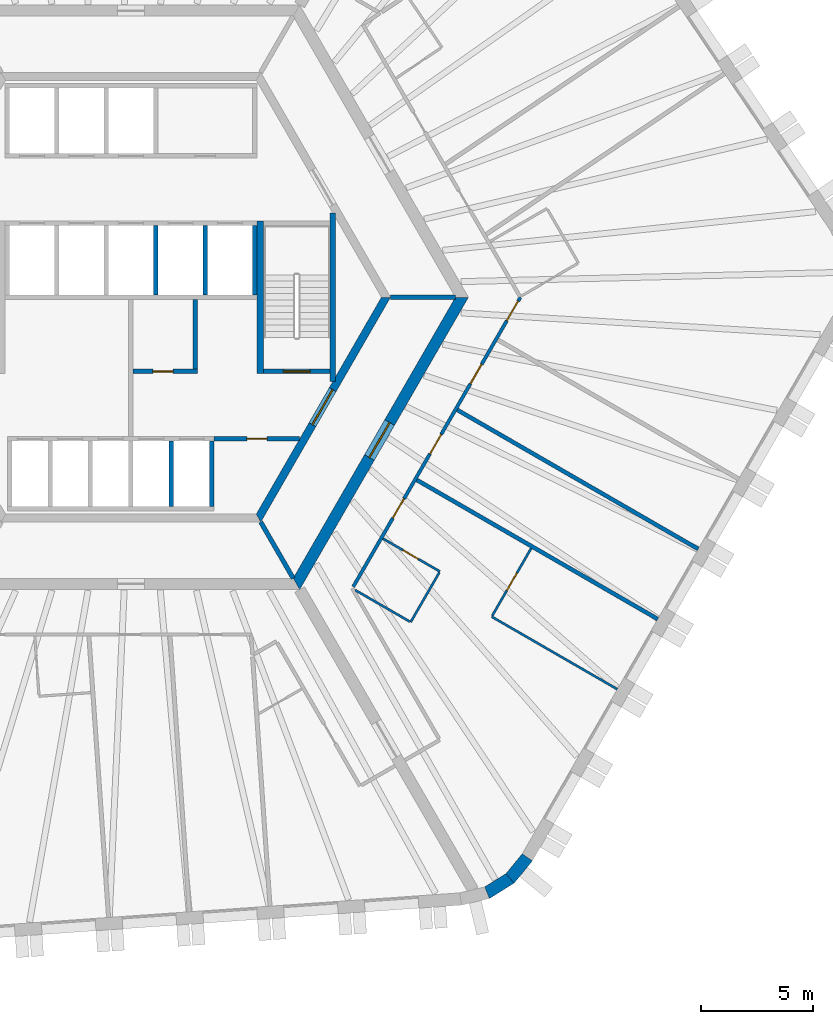
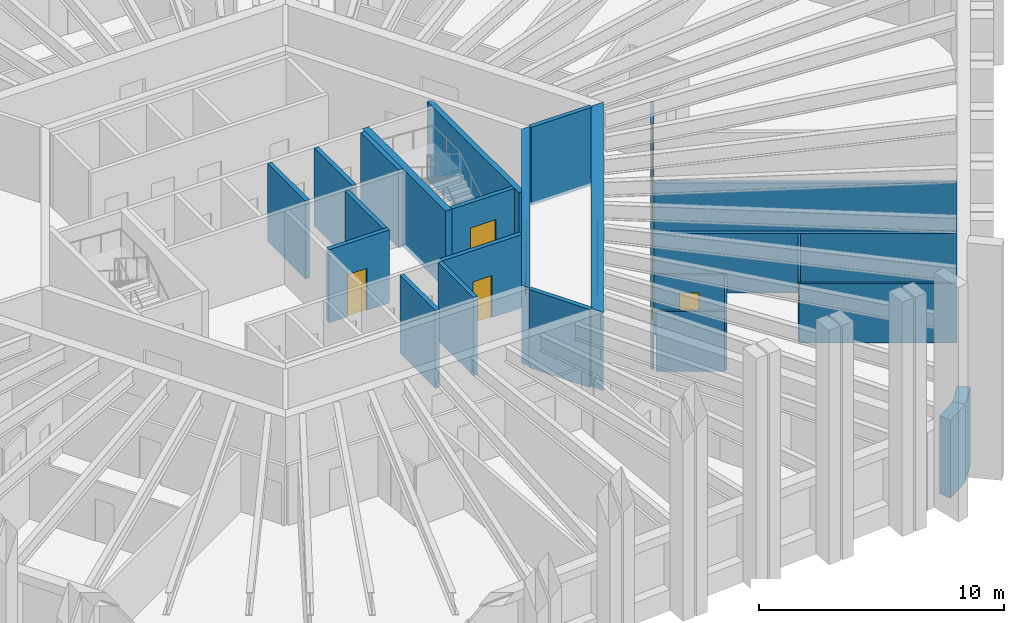
# One storey, part 5 of 10: 25 walls, 11 doors, 11 openings.
"""IFC4 building model written with IfcOpenShell, lengths in metres."""

from ifc_helpers import new_model, si_unit, direction, frame, frame_2d, origin, place, context, subcontext, project, spatial, polyline, rectangle, outline, extrude, material, layer, layer_set, type_object, element, fill, save


model = new_model("IFC4")

# Units and contexts
model_context = context("Model", 3, precision=1e-05, world=origin(), true_north=direction((0.0, 1.0)))
body_context = subcontext(model_context, "Body", "Model", "MODEL_VIEW")
ifc_project = project(units=[si_unit("LENGTHUNIT", "METRE"), si_unit("AREAUNIT", "SQUARE_METRE"), si_unit("VOLUMEUNIT", "CUBIC_METRE"), si_unit("PLANEANGLEUNIT", "RADIAN"), si_unit("MASSUNIT", "GRAM", prefix="KILO")], contexts=[model_context])

# Site, building, storey
site_placement = place(None, origin())
site = spatial("IfcSite", under=ifc_project, at=site_placement, CompositionType="ELEMENT")
building_placement = place(site_placement, origin())
building = spatial("IfcBuilding", under=site, at=building_placement, Name="Tarnside Tower", CompositionType="ELEMENT")
storey_placement = place(building_placement, frame((0.0, 0.0, 195.60009765625)))
storey = spatial("IfcBuildingStorey", under=building, at=storey_placement, Name="L46", CompositionType="ELEMENT", Elevation=195.60009765625)

# Wall, opening, door
ifc_material_1 = material(Name="Gypsum board partition on steel studs", Category="steel")
ifc_layer_1 = layer(ifc_material_1, 0.10009765625)
ifc_layer_set_1 = layer_set([ifc_layer_1], Name="Bathroom wall 100")
wall_type_1 = type_object("IfcWallType", Name="Bathroom wall 100", PredefinedType="PARTITIONING", material=ifc_layer_set_1)
wall_1_placement = place(storey_placement, frame((11.208740234375, -10.73583984375, 0.0), z_axis=(0.0, 0.0, 1.0), x_axis=(0.866046596414, -0.499963291492, 0.0)))
wall_1 = element("IfcWall", 1, at=wall_1_placement, inside=storey, type_object=wall_type_1, Name="Bathroom wall 15094", PredefinedType="PARTITIONING", context=body_context, shape_type="SweptSolid", body=[
    extrude(rectangle(XDim=2.925048828125, YDim=0.10009765625, at=frame_2d((1.46240234375, 0.0))), origin(), (0.0, 0.0, 1.0), 2.98779296875),
])
opening_1_placement = place(wall_1_placement, frame((1.02490234375, 0.0, 0.0)))
opening_1 = element("IfcOpeningElement", 2, at=opening_1_placement, cuts=wall_1, Name="Opening D-B1", PredefinedType="OPENING", context=body_context, shape_type="SweptSolid", body=[
    extrude(rectangle(XDim=0.800048828125, YDim=2.10009765625, at=frame_2d((0.39990234375, 1.050048828125))), frame((0.0, 0.06005859375, 0.0), z_axis=(0.0, -1.0, 0.0), x_axis=(1.0, 0.0, 0.0)), (0.0, 0.0, 1.0), 0.1201171875),
])
ifc_material_2 = material(Name="Timber door leaf", Category="wood")
door_type_1 = type_object("IfcDoorType", Name="Bathroom door 800", OperationType="NOTDEFINED", PredefinedType="DOOR", material=ifc_material_2)
door_1_placement = place(opening_1_placement, origin())
door_1 = element("IfcDoor", 3, at=door_1_placement, inside=storey, type_object=door_type_1, Name="Bathroom door 15026", OperationType="SINGLE_SWING_RIGHT", OverallHeight=2.10009765625, OverallWidth=0.800048828125, PredefinedType="DOOR", context=body_context, shape_type="SweptSolid", body=[
    extrude(rectangle(XDim=0.800048828125, YDim=2.10009765625, at=frame_2d((0.39990234375, 1.050048828125))), frame((0.0, 0.02490234375, 0.0), z_axis=(0.0, -1.0, 0.0), x_axis=(1.0, 0.0, 0.0)), (0.0, 0.0, 1.0), 0.050048828125),
])
fill(opening_1, door_1)

# Walls
wall_2_placement = place(storey_placement, frame((13.716796875, -12.24169921875, 0.0), z_axis=(0.0, 0.0, 1.0), x_axis=(-0.499990435942, -0.866030925526, 0.0)))
element("IfcWall", 4, at=wall_2_placement, inside=storey, type_object=wall_type_1, Name="Bathroom wall 15095", PredefinedType="PARTITIONING", context=body_context, shape_type="SweptSolid", body=[
    extrude(rectangle(XDim=2.5498046875, YDim=0.10009765625, at=frame_2d((1.27490234375, 0.0))), origin(), (0.0, 0.0, 1.0), 2.98779296875),
])
wall_3_placement = place(storey_placement, frame((12.398681640625, -14.425048828125, 0.0), z_axis=(0.0, 0.0, 1.0), x_axis=(-0.866018616679, 0.500011755427, 0.0)))
element("IfcWall", 5, at=wall_3_placement, inside=storey, type_object=wall_type_1, Name="Bathroom wall 15096", PredefinedType="PARTITIONING", context=body_context, shape_type="SweptSolid", body=[
    extrude(rectangle(XDim=2.80029296875, YDim=0.10009765625, at=frame_2d((1.400146484375, 0.0))), origin(), (0.0, 0.0, 1.0), 2.98779296875),
])

# Wall, opening, door
ifc_material_3 = material(Name="Concrete C50/60", Category="concrete")
ifc_layer_2 = layer(ifc_material_3, 0.35009765625)
ifc_layer_set_2 = layer_set([ifc_layer_2], Name="Core block wall 350 C50/60")
wall_type_2 = type_object("IfcWallType", Name="Core block wall 350 C50/60", PredefinedType="SHEAR", material=ifc_layer_set_2)
wall_4_placement = place(storey_placement, frame((5.672607421875, -9.824951171875, -0.150146484375), z_axis=(0.0, 0.0, 1.0), x_axis=(0.499995046907, 0.866028263435, 0.0)))
wall_4 = element("IfcWall", 6, at=wall_4_placement, inside=storey, type_object=wall_type_2, Name="L46 core block wall face 5", PredefinedType="SHEAR", context=body_context, shape_type="SweptSolid", body=[
    extrude(outline(polyline([(-0.10107421875, -0.175048828125), (11.44580078125, -0.175048828125), (11.24365234375, 0.175048828125), (0.10107421875, 0.175048828125), (-0.10107421875, -0.175048828125)])), origin(), (0.0, 0.0, 1.0), 3.900146484375),
])
opening_2_placement = place(wall_4_placement, frame((4.80126953125, 0.0, 0.14990234375)))
opening_2 = element("IfcOpeningElement", 7, at=opening_2_placement, cuts=wall_4, Name="Opening CD-FFL", PredefinedType="OPENING", context=body_context, shape_type="SweptSolid", body=[
    extrude(rectangle(XDim=1.800048828125, YDim=2.39990234375, at=frame_2d((0.89990234375, 1.199951171875))), frame((0.0, 0.18505859375, 0.0), z_axis=(0.0, -1.0, 0.0), x_axis=(1.0, 0.0, 0.0)), (0.0, 0.0, 1.0), 0.3701171875),
])
ifc_material_4 = material(Name="Steel fire door", Category="steel")
door_type_2 = type_object("IfcDoorType", Name="Firefighting lobby double door FD60S 1800x2400", OperationType="NOTDEFINED", PredefinedType="DOOR", material=ifc_material_4)
door_2_placement = place(opening_2_placement, origin())
door_2 = element("IfcDoor", 8, at=door_2_placement, inside=storey, type_object=door_type_2, Name="L46 lobby block door P4", OperationType="DOUBLE_DOOR_SINGLE_SWING", OverallHeight=2.39990234375, OverallWidth=1.800048828125, PredefinedType="DOOR", context=body_context, shape_type="SweptSolid", body=[
    extrude(rectangle(XDim=1.800048828125, YDim=2.39990234375, at=frame_2d((0.89990234375, 1.199951171875))), frame((0.0, 0.02490234375, 0.0), z_axis=(0.0, -1.0, 0.0), x_axis=(1.0, 0.0, 0.0)), (0.0, 0.0, 1.0), 0.050048828125),
])
fill(opening_2, door_2)

ifc_material_5 = material(Name="Concrete C40/50", Category="concrete")
ifc_layer_3 = layer(ifc_material_5, 0.199951171875)
ifc_layer_set_3 = layer_set([ifc_layer_3], Name="Core room partition 200 C40/50")
wall_type_3 = type_object("IfcWallType", Name="Core room partition 200 C40/50", PredefinedType="PARTITIONING", material=ifc_layer_set_3)
wall_5_placement = place(storey_placement, frame((0.10009765625, -3.300048828125, 0.0), z_axis=(0.0, 0.0, 1.0), x_axis=(1.0, 0.0, 0.0)))
wall_5 = element("IfcWall", 9, at=wall_5_placement, inside=storey, type_object=wall_type_3, Name="L46 core partition R3S1", PredefinedType="PARTITIONING", context=body_context, shape_type="SweptSolid", body=[
    extrude(rectangle(XDim=2.849853515625, YDim=0.199951171875, at=frame_2d((1.4248046875, 0.0))), origin(), (0.0, 0.0, 1.0), 3.64990234375),
])
opening_3_placement = place(wall_5_placement, frame((0.875, 0.0, 0.0)))
opening_3 = element("IfcOpeningElement", 10, at=opening_3_placement, cuts=wall_5, Name="Opening CD-room", PredefinedType="OPENING", context=body_context, shape_type="SweptSolid", body=[
    extrude(rectangle(XDim=0.89990234375, YDim=2.10009765625, at=frame_2d((0.449951171875, 1.050048828125))), frame((0.0, 0.10986328125, 0.0), z_axis=(0.0, -1.0, 0.0), x_axis=(1.0, 0.0, 0.0)), (0.0, 0.0, 1.0), 0.219970703125),
])
door_type_3 = type_object("IfcDoorType", Name="Room door FD60 900x2100", OperationType="NOTDEFINED", PredefinedType="DOOR", material=ifc_material_4)
door_3_placement = place(opening_3_placement, origin())
door_3 = element("IfcDoor", 11, at=door_3_placement, inside=storey, type_object=door_type_3, Name="L46 core room door SR1", OperationType="SINGLE_SWING_LEFT", OverallHeight=2.10009765625, OverallWidth=0.89990234375, PredefinedType="DOOR", context=body_context, shape_type="SweptSolid", body=[
    extrude(rectangle(XDim=0.89990234375, YDim=2.10009765625, at=frame_2d((0.449951171875, 1.050048828125))), frame((0.0, 0.02490234375, 0.0), z_axis=(0.0, -1.0, 0.0), x_axis=(1.0, 0.0, 0.0)), (0.0, 0.0, 1.0), 0.050048828125),
])
fill(opening_3, door_3)

# Wall
wall_6_placement = place(storey_placement, frame((2.85009765625, -3.199951171875, 0.0), z_axis=(0.0, 0.0, 1.0), x_axis=(0.0, 1.0, 0.0)))
element("IfcWall", 12, at=wall_6_placement, inside=storey, type_object=wall_type_3, Name="L46 core partition R3P1b", PredefinedType="PARTITIONING", context=body_context, shape_type="SweptSolid", body=[
    extrude(rectangle(XDim=3.099853515625, YDim=0.199951171875, at=frame_2d((1.5498046875, 0.0))), origin(), (0.0, 0.0, 1.0), 3.64990234375),
])

# Wall, opening, door
wall_7_placement = place(storey_placement, frame((3.699951171875, -6.300048828125, 0.0), z_axis=(0.0, 0.0, 1.0), x_axis=(1.0, 0.0, 0.0)))
wall_7 = element("IfcWall", 13, at=wall_7_placement, inside=storey, type_object=wall_type_3, Name="L46 core partition R4X", PredefinedType="PARTITIONING", context=body_context, shape_type="SweptSolid", body=[
    extrude(rectangle(XDim=3.8056640625, YDim=0.199951171875, at=frame_2d((1.90283203125, 0.0))), origin(), (0.0, 0.0, 1.0), 3.64990234375),
])
opening_4_placement = place(wall_7_placement, frame((1.452880859375, 0.0, 0.0)))
opening_4 = element("IfcOpeningElement", 14, at=opening_4_placement, cuts=wall_7, Name="Opening CD-room", PredefinedType="OPENING", context=body_context, shape_type="SweptSolid", body=[
    extrude(rectangle(XDim=0.89990234375, YDim=2.10009765625, at=frame_2d((0.449951171875, 1.050048828125))), frame((0.0, 0.10986328125, 0.0), z_axis=(0.0, -1.0, 0.0), x_axis=(1.0, 0.0, 0.0)), (0.0, 0.0, 1.0), 0.219970703125),
])
door_4_placement = place(opening_4_placement, origin())
door_4 = element("IfcDoor", 15, at=door_4_placement, inside=storey, type_object=door_type_3, Name="L46 core room door RX", OperationType="SINGLE_SWING_LEFT", OverallHeight=2.10009765625, OverallWidth=0.89990234375, PredefinedType="DOOR", context=body_context, shape_type="SweptSolid", body=[
    extrude(rectangle(XDim=0.89990234375, YDim=2.10009765625, at=frame_2d((0.449951171875, 1.050048828125))), frame((0.0, 0.02490234375, 0.0), z_axis=(0.0, -1.0, 0.0), x_axis=(1.0, 0.0, 0.0)), (0.0, 0.0, 1.0), 0.050048828125),
])
fill(opening_4, door_4)

ifc_material_6 = material(Name="Concrete C70/85", Category="concrete")
ifc_layer_4 = layer(ifc_material_6, 0.5)
ifc_layer_set_4 = layer_set([ifc_layer_4], Name="Core wall Z2 500 C70/85")
wall_type_4 = type_object("IfcWallType", Name="Core wall Z2 500 C70/85", PredefinedType="SHEAR", material=ifc_layer_set_4)
wall_8_placement = place(storey_placement, frame((7.361083984375, -12.75, -0.150146484375), z_axis=(0.0, 0.0, 1.0), x_axis=(0.50000571537, 0.866022103989, 0.0)))
wall_8 = element("IfcWall", 16, at=wall_8_placement, inside=storey, type_object=wall_type_4, Name="L46 core wall face 5", PredefinedType="SHEAR", context=body_context, shape_type="SweptSolid", body=[
    extrude(outline(polyline([(-0.144287109375, -0.25), (14.86669921875, -0.25), (14.578125, 0.25), (0.144287109375, 0.25), (-0.144287109375, -0.25)])), origin(), (0.0, 0.0, 1.0), 3.900146484375),
])
opening_5_placement = place(wall_8_placement, frame((6.489990234375, 0.0, 0.14990234375)))
opening_5 = element("IfcOpeningElement", 17, at=opening_5_placement, cuts=wall_8, Name="Opening CD-FFL", PredefinedType="OPENING", context=body_context, shape_type="SweptSolid", body=[
    extrude(rectangle(XDim=1.800048828125, YDim=2.39990234375, at=frame_2d((0.89990234375, 1.199951171875))), frame((0.0, 0.260009765625, 0.0), z_axis=(0.0, -1.0, 0.0), x_axis=(1.0, 0.0, 0.0)), (0.0, 0.0, 1.0), 0.52001953125),
])
door_5_placement = place(opening_5_placement, origin())
door_5 = element("IfcDoor", 18, at=door_5_placement, inside=storey, type_object=door_type_2, Name="L46 core door P4", OperationType="DOUBLE_DOOR_SINGLE_SWING", OverallHeight=2.39990234375, OverallWidth=1.800048828125, PredefinedType="DOOR", context=body_context, shape_type="SweptSolid", body=[
    extrude(rectangle(XDim=1.800048828125, YDim=2.39990234375, at=frame_2d((0.89990234375, 1.199951171875))), frame((0.0, 0.02490234375, 0.0), z_axis=(0.0, -1.0, 0.0), x_axis=(1.0, 0.0, 0.0)), (0.0, 0.0, 1.0), 0.050048828125),
])
fill(opening_5, door_5)

# Wall, openings, doors
ifc_layer_5 = layer(ifc_material_1, 0.14990234375)
ifc_layer_set_5 = layer_set([ifc_layer_5], Name="Corridor wall 150 EI 60")
wall_type_5 = type_object("IfcWallType", Name="Corridor wall 150 EI 60", PredefinedType="PARTITIONING", material=ifc_layer_set_5)
wall_9_placement = place(storey_placement, frame((9.88720703125, -12.875, 0.0), z_axis=(0.0, 0.0, 1.0), x_axis=(0.499998228944, 0.866026426302, 0.0)))
wall_9 = element("IfcWall", 19, at=wall_9_placement, inside=storey, type_object=wall_type_5, Name="Corridor wall 15035", PredefinedType="PARTITIONING", context=body_context, shape_type="SweptSolid", body=[
    extrude(rectangle(XDim=14.86669921875, YDim=0.14990234375, at=frame_2d((7.433349609375, 0.0))), origin(), (0.0, 0.0, 1.0), 2.98779296875),
])
opening_6_placement = place(wall_9_placement, frame((3.518798828125, 0.0, 0.0)))
opening_6 = element("IfcOpeningElement", 20, at=opening_6_placement, cuts=wall_9, Name="Opening D-E1", PredefinedType="OPENING", context=body_context, shape_type="SweptSolid", body=[
    extrude(rectangle(XDim=1.0, YDim=2.10009765625, at=frame_2d((0.5, 1.050048828125))), frame((0.0, 0.0849609375, 0.0), z_axis=(0.0, -1.0, 0.0), x_axis=(1.0, 0.0, 0.0)), (0.0, 0.0, 1.0), 0.169921875),
])
opening_7_placement = place(wall_9_placement, frame((6.824462890625, 0.0, 0.0)))
opening_7 = element("IfcOpeningElement", 21, at=opening_7_placement, cuts=wall_9, Name="Opening D-E1", PredefinedType="OPENING", context=body_context, shape_type="SweptSolid", body=[
    extrude(rectangle(XDim=1.0, YDim=2.10009765625, at=frame_2d((0.5, 1.050048828125))), frame((0.0, 0.0849609375, 0.0), z_axis=(0.0, -1.0, 0.0), x_axis=(1.0, 0.0, 0.0)), (0.0, 0.0, 1.0), 0.169921875),
])
opening_8_placement = place(wall_9_placement, frame((10.42431640625, 0.0, 0.0)))
opening_8 = element("IfcOpeningElement", 22, at=opening_8_placement, cuts=wall_9, Name="Opening D-E1", PredefinedType="OPENING", context=body_context, shape_type="SweptSolid", body=[
    extrude(rectangle(XDim=1.0, YDim=2.10009765625, at=frame_2d((0.5, 1.050048828125))), frame((0.0, 0.0849609375, 0.0), z_axis=(0.0, -1.0, 0.0), x_axis=(1.0, 0.0, 0.0)), (0.0, 0.0, 1.0), 0.169921875),
])
opening_9_placement = place(wall_9_placement, frame((13.666748046875, 0.0, 0.0)))
opening_9 = element("IfcOpeningElement", 23, at=opening_9_placement, cuts=wall_9, Name="Opening D-E1", PredefinedType="OPENING", context=body_context, shape_type="SweptSolid", body=[
    extrude(rectangle(XDim=1.0, YDim=2.10009765625, at=frame_2d((0.5, 1.050048828125))), frame((0.0, 0.0849609375, 0.0), z_axis=(0.0, -1.0, 0.0), x_axis=(1.0, 0.0, 0.0)), (0.0, 0.0, 1.0), 0.169921875),
])
door_type_4 = type_object("IfcDoorType", Name="Unit entrance door 1000 FD30S", OperationType="NOTDEFINED", PredefinedType="DOOR", material=ifc_material_2)
door_6_placement = place(opening_6_placement, origin())
door_6 = element("IfcDoor", 24, at=door_6_placement, inside=storey, type_object=door_type_4, Name="Unit door 15025", OperationType="SINGLE_SWING_RIGHT", OverallHeight=2.10009765625, OverallWidth=1.0, PredefinedType="DOOR", context=body_context, shape_type="SweptSolid", body=[
    extrude(rectangle(XDim=1.0, YDim=2.10009765625, at=frame_2d((0.5, 1.050048828125))), frame((0.0, 0.02490234375, 0.0), z_axis=(0.0, -1.0, 0.0), x_axis=(1.0, 0.0, 0.0)), (0.0, 0.0, 1.0), 0.050048828125),
])
fill(opening_6, door_6)
door_7_placement = place(opening_7_placement, origin())
door_7 = element("IfcDoor", 25, at=door_7_placement, inside=storey, type_object=door_type_4, Name="Unit door 15028", OperationType="SINGLE_SWING_RIGHT", OverallHeight=2.10009765625, OverallWidth=1.0, PredefinedType="DOOR", context=body_context, shape_type="SweptSolid", body=[
    extrude(rectangle(XDim=1.0, YDim=2.10009765625, at=frame_2d((0.5, 1.050048828125))), frame((0.0, 0.02490234375, 0.0), z_axis=(0.0, -1.0, 0.0), x_axis=(1.0, 0.0, 0.0)), (0.0, 0.0, 1.0), 0.050048828125),
])
fill(opening_7, door_7)
door_8_placement = place(opening_8_placement, origin())
door_8 = element("IfcDoor", 26, at=door_8_placement, inside=storey, type_object=door_type_4, Name="Unit door 15029", OperationType="SINGLE_SWING_RIGHT", OverallHeight=2.10009765625, OverallWidth=1.0, PredefinedType="DOOR", context=body_context, shape_type="SweptSolid", body=[
    extrude(rectangle(XDim=1.0, YDim=2.10009765625, at=frame_2d((0.5, 1.050048828125))), frame((0.0, 0.02490234375, 0.0), z_axis=(0.0, -1.0, 0.0), x_axis=(1.0, 0.0, 0.0)), (0.0, 0.0, 1.0), 0.050048828125),
])
fill(opening_8, door_8)
door_9_placement = place(opening_9_placement, origin())
door_9 = element("IfcDoor", 27, at=door_9_placement, inside=storey, type_object=door_type_4, Name="Unit door 15030", OperationType="SINGLE_SWING_LEFT", OverallHeight=2.10009765625, OverallWidth=1.0, PredefinedType="DOOR", context=body_context, shape_type="SweptSolid", body=[
    extrude(rectangle(XDim=1.0, YDim=2.10009765625, at=frame_2d((0.5, 1.050048828125))), frame((0.0, 0.02490234375, 0.0), z_axis=(0.0, -1.0, 0.0), x_axis=(1.0, 0.0, 0.0)), (0.0, 0.0, 1.0), 0.050048828125),
])
fill(opening_9, door_9)

# Walls
ifc_layer_6 = layer(ifc_material_1, 0.179931640625)
ifc_layer_set_6 = layer_set([ifc_layer_6], Name="Demising wall 180 EI 60")
wall_type_6 = type_object("IfcWallType", Name="Demising wall 180 EI 60", PredefinedType="PARTITIONING", material=ifc_layer_set_6)
wall_10_placement = place(storey_placement, frame((23.431396484375, -14.315673828125, 0.0), z_axis=(0.0, 0.0, 1.0), x_axis=(-0.866024931941, 0.500000817256, 0.0)))
element("IfcWall", 28, at=wall_10_placement, inside=storey, type_object=wall_type_6, Name="Demising wall 15099", PredefinedType="PARTITIONING", context=body_context, shape_type="SweptSolid", body=[
    extrude(rectangle(XDim=12.375, YDim=0.179931640625, at=frame_2d((6.1875, 0.0))), origin(), (0.0, 0.0, 1.0), 2.98779296875),
])
wall_11_placement = place(storey_placement, frame((25.2314453125, -11.197998046875, 0.0), z_axis=(0.0, 0.0, 1.0), x_axis=(-0.866029863972, 0.499992274648, 0.0)))
element("IfcWall", 29, at=wall_11_placement, inside=storey, type_object=wall_type_6, Name="Demising wall 15101", PredefinedType="PARTITIONING", context=body_context, shape_type="SweptSolid", body=[
    extrude(rectangle(XDim=12.375244140625, YDim=0.179931640625, at=frame_2d((6.1875, 0.0))), origin(), (0.0, 0.0, 1.0), 2.98779296875),
])
ifc_layer_7 = layer(ifc_material_5, 0.199951171875)
ifc_layer_set_7 = layer_set([ifc_layer_7], Name="Lift shaft wall 200 C40/50")
wall_type_7 = type_object("IfcWallType", Name="Lift shaft wall 200 C40/50", PredefinedType="SHEAR", material=ifc_layer_set_7)
for number, where, z_axis, x_axis, name in (
    (30, (1.10009765625, 0.10009765625, -0.25), (0.0, 0.0, 1.0), (0.0, 1.0, 0.0), "L46 lift shaft partition R24"),
    (31, (3.300048828125, 0.10009765625, -0.25), (0.0, 0.0, 1.0), (0.0, 1.0, 0.0), "L46 lift shaft partition R25"),
    (32, (5.5, 0.10009765625, -0.25), (0.0, 0.0, 1.0), (0.0, 1.0, 0.0), "L46 lift shaft partition R26"),
):
    element("IfcWall", number, at=place(storey_placement, frame(where, z_axis=z_axis, x_axis=x_axis)), inside=storey, type_object=wall_type_7, Name=name, PredefinedType="SHEAR", context=body_context, shape_type="SweptSolid", body=[
        extrude(rectangle(XDim=3.099853515625, YDim=0.199951171875, at=frame_2d((1.5498046875, 0.0))), origin(), (0.0, 0.0, 1.0), 3.89990234375),
    ])
for number, where, z_axis, x_axis, name in (
    (33, (1.800048828125, -9.300048828125, -0.25), (0.0, 0.0, 1.0), (0.0, 1.0, 0.0), "L46 lift shaft partition R45"),
    (34, (3.60009765625, -9.300048828125, -0.25), (0.0, 0.0, 1.0), (0.0, 1.0, 0.0), "L46 lift shaft partition R46"),
):
    element("IfcWall", number, at=place(storey_placement, frame(where, z_axis=z_axis, x_axis=x_axis)), inside=storey, type_object=wall_type_7, Name=name, PredefinedType="SHEAR", context=body_context, shape_type="SweptSolid", body=[
        extrude(rectangle(XDim=2.900146484375, YDim=0.199951171875, at=frame_2d((1.4501953125, 0.0))), origin(), (0.0, 0.0, 1.0), 3.89990234375),
    ])
for number, where, z_axis, x_axis, name in (
    (35, (11.547119140625, 0.0, -0.150146484375), (0.0, 0.0, 1.0), (1.0, 0.0, 0.0), "L46 core partition AR0"),
    (36, (5.7734375, -10.0, -0.150146484375), (0.0, 0.0, 1.0), (0.499995765644, -0.866027848477, 0.0), "L46 core partition AR300"),
):
    element("IfcWall", number, at=place(storey_placement, frame(where, z_axis=z_axis, x_axis=x_axis)), inside=storey, type_object=wall_type_7, Name=name, PredefinedType="SHEAR", context=body_context, shape_type="SweptSolid", body=[
        extrude(rectangle(XDim=2.88671875, YDim=0.199951171875, at=frame_2d((1.443359375, 0.0))), origin(), (0.0, 0.0, 1.0), 3.900146484375),
    ])

# Wall, opening, door
wall_12_placement = place(storey_placement, frame((5.89990234375, -3.300048828125, -0.25), z_axis=(0.0, 0.0, 1.0), x_axis=(1.0, 0.0, 0.0)))
wall_12 = element("IfcWall", 37, at=wall_12_placement, inside=storey, type_object=wall_type_7, Name="L46 stair 1 enclosure cap wall s", PredefinedType="SHEAR", context=body_context, shape_type="SweptSolid", body=[
    extrude(rectangle(XDim=2.9501953125, YDim=0.199951171875, at=frame_2d((1.47509765625, 0.0))), origin(), (0.0, 0.0, 1.0), 3.89990234375),
])
opening_10_placement = place(wall_12_placement, frame((0.875, 0.0, 0.25)))
opening_10 = element("IfcOpeningElement", 38, at=opening_10_placement, cuts=wall_12, Name="Opening CD-STR", PredefinedType="OPENING", context=body_context, shape_type="SweptSolid", body=[
    extrude(rectangle(XDim=1.199951171875, YDim=2.39990234375, at=frame_2d((0.60009765625, 1.199951171875))), frame((0.0, 0.10986328125, 0.0), z_axis=(0.0, -1.0, 0.0), x_axis=(1.0, 0.0, 0.0)), (0.0, 0.0, 1.0), 0.219970703125),
])
door_type_5 = type_object("IfcDoorType", Name="Stair door FD60S 1200x2400", OperationType="NOTDEFINED", PredefinedType="DOOR", material=ifc_material_4)
door_10_placement = place(opening_10_placement, origin())
door_10 = element("IfcDoor", 39, at=door_10_placement, inside=storey, type_object=door_type_5, Name="L46 stair 1 door", OperationType="SINGLE_SWING_LEFT", OverallHeight=2.39990234375, OverallWidth=1.199951171875, PredefinedType="DOOR", context=body_context, shape_type="SweptSolid", body=[
    extrude(rectangle(XDim=1.199951171875, YDim=2.39990234375, at=frame_2d((0.60009765625, 1.199951171875))), frame((0.0, 0.02490234375, 0.0), z_axis=(0.0, -1.0, 0.0), x_axis=(1.0, 0.0, 0.0)), (0.0, 0.0, 1.0), 0.050048828125),
])
fill(opening_10, door_10)

# Wall
ifc_layer_8 = layer(ifc_material_1, 0.10009765625)
ifc_layer_set_8 = layer_set([ifc_layer_8], Name="Partition 100")
wall_type_8 = type_object("IfcWallType", Name="Partition 100", PredefinedType="PARTITIONING", material=ifc_layer_set_8)
wall_13_placement = place(storey_placement, frame((21.63134765625, -17.433349609375, 0.0), z_axis=(0.0, 0.0, 1.0), x_axis=(-0.86603809205, 0.499978022635, 0.0)))
element("IfcWall", 40, at=wall_13_placement, inside=storey, type_object=wall_type_8, Name="Partition wall 15097", PredefinedType="PARTITIONING", context=body_context, shape_type="SweptSolid", body=[
    extrude(rectangle(XDim=6.449951171875, YDim=0.10009765625, at=frame_2d((3.22509765625, 0.0))), origin(), (0.0, 0.0, 1.0), 2.98779296875),
])

# Wall, opening, door
wall_14_placement = place(storey_placement, frame((16.070556640625, -14.1650390625, 0.0), z_axis=(0.0, 0.0, 1.0), x_axis=(0.500009533716, 0.866019899421, 0.0)))
wall_14 = element("IfcWall", 41, at=wall_14_placement, inside=storey, type_object=wall_type_8, Name="Partition wall 15098", PredefinedType="PARTITIONING", context=body_context, shape_type="SweptSolid", body=[
    extrude(rectangle(XDim=3.4599609375, YDim=0.10009765625, at=frame_2d((1.72998046875, 0.0))), origin(), (0.0, 0.0, 1.0), 2.98779296875),
])
opening_11_placement = place(wall_14_placement, frame((1.300048828125, 0.0, 0.0)))
opening_11 = element("IfcOpeningElement", 42, at=opening_11_placement, cuts=wall_14, Name="Opening D-I1", PredefinedType="OPENING", context=body_context, shape_type="SweptSolid", body=[
    extrude(rectangle(XDim=0.89990234375, YDim=2.10009765625, at=frame_2d((0.449951171875, 1.050048828125))), frame((0.0, 0.06005859375, 0.0), z_axis=(0.0, -1.0, 0.0), x_axis=(1.0, 0.0, 0.0)), (0.0, 0.0, 1.0), 0.1201171875),
])
door_type_6 = type_object("IfcDoorType", Name="Internal door 900", OperationType="NOTDEFINED", PredefinedType="DOOR", material=ifc_material_2)
door_11_placement = place(opening_11_placement, origin())
door_11 = element("IfcDoor", 43, at=door_11_placement, inside=storey, type_object=door_type_6, Name="Internal door 15027", OperationType="SINGLE_SWING_LEFT", OverallHeight=2.10009765625, OverallWidth=0.89990234375, PredefinedType="DOOR", context=body_context, shape_type="SweptSolid", body=[
    extrude(rectangle(XDim=0.89990234375, YDim=2.10009765625, at=frame_2d((0.449951171875, 1.050048828125))), frame((0.0, 0.02490234375, 0.0), z_axis=(0.0, -1.0, 0.0), x_axis=(1.0, 0.0, 0.0)), (0.0, 0.0, 1.0), 0.050048828125),
])
fill(opening_11, door_11)

# Walls
ifc_layer_9 = layer(ifc_material_5, 0.25)
ifc_layer_set_9 = layer_set([ifc_layer_9], Name="Stair enclosure wall 250 C40/50")
wall_type_9 = type_object("IfcWallType", Name="Stair enclosure wall 250 C40/50", PredefinedType="SHEAR", material=ifc_layer_set_9)
wall_15_placement = place(storey_placement, frame((8.97509765625, -3.7548828125, -0.25), z_axis=(0.0, 0.0, 1.0), x_axis=(0.0, 1.0, 0.0)))
element("IfcWall", 44, at=wall_15_placement, inside=storey, type_object=wall_type_9, Name="L46 stair 1 enclosure wall outer", PredefinedType="SHEAR", context=body_context, shape_type="SweptSolid", body=[
    extrude(rectangle(XDim=7.509765625, YDim=0.25, at=frame_2d((3.7548828125, 0.0))), origin(), (0.0, 0.0, 1.0), 3.89990234375),
])
ifc_layer_10 = layer(ifc_material_5, 0.300048828125)
ifc_layer_set_10 = layer_set([ifc_layer_10], Name="Stair enclosure wall 300 C40/50")
wall_type_10 = type_object("IfcWallType", Name="Stair enclosure wall 300 C40/50", PredefinedType="SHEAR", material=ifc_layer_set_10)
wall_16_placement = place(storey_placement, frame((5.75, -3.39990234375, -0.25), z_axis=(0.0, 0.0, 1.0), x_axis=(0.0, 1.0, 0.0)))
element("IfcWall", 45, at=wall_16_placement, inside=storey, type_object=wall_type_10, Name="L46 stair 1 enclosure wall inner", PredefinedType="SHEAR", context=body_context, shape_type="SweptSolid", body=[
    extrude(rectangle(XDim=6.7998046875, YDim=0.300048828125, at=frame_2d((3.39990234375, 0.0))), origin(), (0.0, 0.0, 1.0), 3.89990234375),
])
ifc_material_7 = material(Name="Facing brick", Category="masonry")
ifc_layer_11 = layer(ifc_material_7, 0.10205078125)
ifc_material_8 = material(Name="Concrete C60/75 precast", Category="concrete")
ifc_layer_12 = layer(ifc_material_8, 0.347900390625)
ifc_material_9 = material(Name="Mineral wool insulation")
ifc_layer_13 = layer(ifc_material_9, 0.10009765625)
ifc_layer_set_11 = layer_set([ifc_layer_11, ifc_layer_12, ifc_layer_13], Name="Tube wall 550 brick faced")
wall_type_11 = type_object("IfcWallType", Name="Tube wall 550 brick faced", PredefinedType="SOLIDWALL", material=ifc_layer_set_11)
wall_17_placement = place(storey_placement, frame((15.839599609375, -26.48876953125, -0.150146484375), z_axis=(0.0, 0.0, 1.0), x_axis=(0.848009655012, 0.52998077796, 0.0)))
element("IfcWall", 46, at=wall_17_placement, inside=storey, type_object=wall_type_11, Name="Tube wall L46 F4 chord 14", PredefinedType="SOLIDWALL", context=body_context, shape_type="SweptSolid", body=[
    extrude(outline(polyline([(-0.045166015625, -0.27490234375), (1.25341796875, -0.27490234375), (1.1630859375, 0.27490234375), (0.045166015625, 0.27490234375), (-0.045166015625, -0.27490234375)])), origin(), (0.0, 0.0, 1.0), 3.900146484375),
])
wall_18_placement = place(storey_placement, frame((16.8642578125, -25.848388671875, -0.150146484375), z_axis=(0.0, 0.0, 1.0), x_axis=(0.633842757806, 0.773461930787, 0.0)))
element("IfcWall", 47, at=wall_18_placement, inside=storey, type_object=wall_type_11, Name="Tube wall L46 F4 chord 15", PredefinedType="SOLIDWALL", context=body_context, shape_type="SweptSolid", body=[
    extrude(outline(polyline([(-0.045166015625, -0.27490234375), (1.230712890625, -0.27490234375), (1.185791015625, 0.27490234375), (0.045166015625, 0.27490234375), (-0.045166015625, -0.27490234375)])), origin(), (0.0, 0.0, 1.0), 3.900146484375),
])

save(model, "model.ifc")
